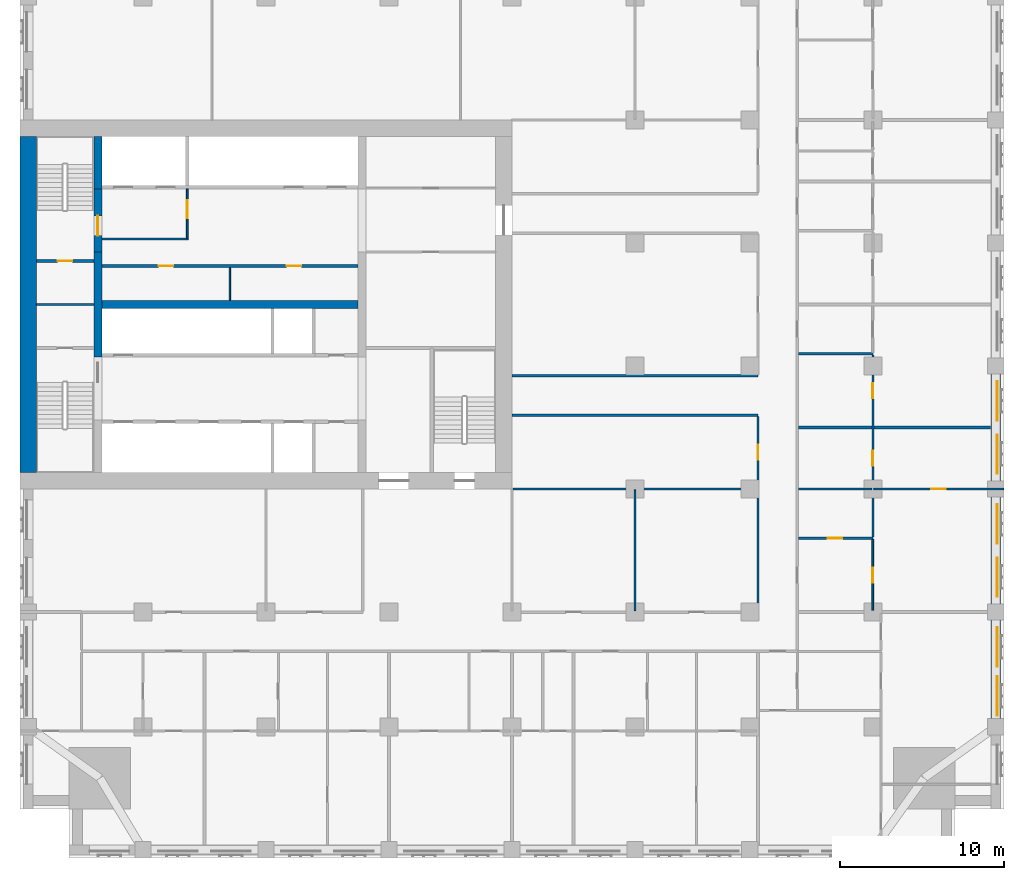
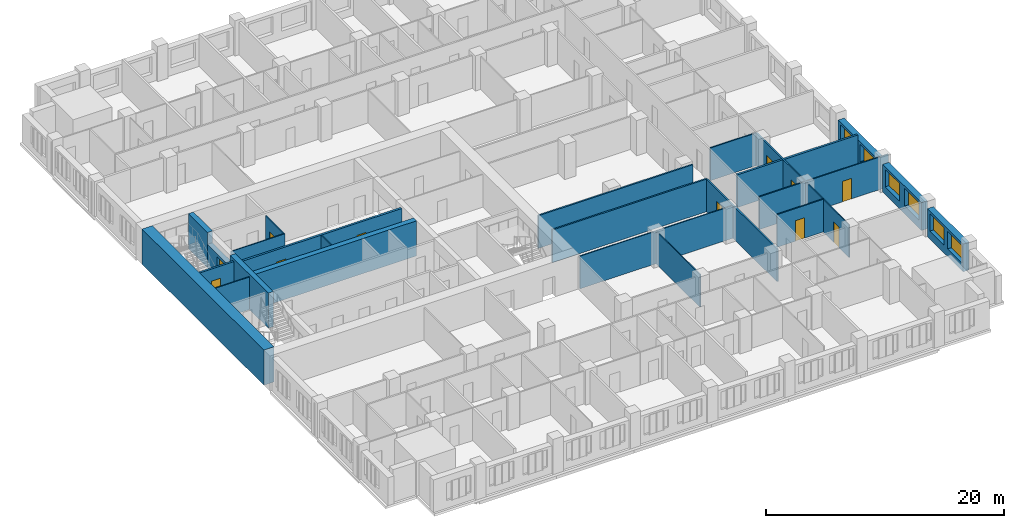
# One storey, part 7 of 14: 26 walls, 11 doors, 6 windows, 17 openings.
"""IFC4 building model written with IfcOpenShell, lengths in metres."""

from ifc_helpers import new_model, si_unit, direction, frame, frame_2d, origin, place, context, subcontext, project, spatial, rectangle, extrude, material, layer, layer_set, type_object, element, fill, save


model = new_model("IFC4")

# Units and contexts
model_context = context("Model", 3, precision=1e-05, world=origin(), true_north=direction((0.0, 1.0)))
body_context = subcontext(model_context, "Body", "Model", "MODEL_VIEW")
ifc_project = project(units=[si_unit("LENGTHUNIT", "METRE"), si_unit("AREAUNIT", "SQUARE_METRE"), si_unit("VOLUMEUNIT", "CUBIC_METRE"), si_unit("PLANEANGLEUNIT", "RADIAN"), si_unit("MASSUNIT", "GRAM", prefix="KILO")], contexts=[model_context])

# Site, building, storey
site_placement = place(None, origin())
site = spatial("IfcSite", under=ifc_project, at=site_placement, CompositionType="ELEMENT")
building_placement = place(site_placement, origin())
building = spatial("IfcBuilding", under=site, at=building_placement, Name="Tamorin Gate", CompositionType="ELEMENT")
storey_placement = place(building_placement, frame((0.0, 0.0, 107.89990234375)))
storey = spatial("IfcBuildingStorey", under=building, at=storey_placement, Name="L26", CompositionType="ELEMENT", Elevation=107.89990234375)

# Wall, openings, windows
ifc_material_1 = material(Name="Precast concrete C40/50", Category="concrete")
ifc_layer_1 = layer(ifc_material_1, 0.60009765625)
ifc_layer_set_1 = layer_set([ifc_layer_1], Name="Precast concrete C40/50")
wall_type_1 = type_object("IfcWallType", Name="Board-marked concrete facade panel 600", PredefinedType="SOLIDWALL", material=ifc_layer_set_1)
wall_1_placement = place(storey_placement, frame((89.5, 46.0, 0.0), z_axis=(0.0, 0.0, 1.0), x_axis=(0.0, 1.0, 0.0)))
wall_1 = element("IfcWall", 1, at=wall_1_placement, inside=storey, type_object=wall_type_1, Name="Facade panel", PredefinedType="SOLIDWALL", context=body_context, shape_type="SweptSolid", body=[
    extrude(rectangle(XDim=6.0, YDim=0.60009765625, at=frame_2d((3.0, 0.0))), origin(), (0.0, 0.0, 1.0), 2.85009765625),
])
opening_1_placement = place(wall_1_placement, frame((0.175048828125, 0.0, 0.800048828125)))
opening_1 = element("IfcOpeningElement", 2, at=opening_1_placement, cuts=wall_1, Name="Opening WN1", PredefinedType="OPENING", context=body_context, shape_type="SweptSolid", body=[
    extrude(rectangle(XDim=2.39990234375, YDim=1.800048828125, at=frame_2d((1.199951171875, 0.89990234375))), frame((0.0, 0.31005859375, 0.0), z_axis=(0.0, -1.0, 0.0), x_axis=(1.0, 0.0, 0.0)), (0.0, 0.0, 1.0), 0.6201171875),
])
opening_2_placement = place(wall_1_placement, frame((3.175048828125, 0.0, 0.800048828125)))
opening_2 = element("IfcOpeningElement", 3, at=opening_2_placement, cuts=wall_1, Name="Opening WN1", PredefinedType="OPENING", context=body_context, shape_type="SweptSolid", body=[
    extrude(rectangle(XDim=2.39990234375, YDim=1.800048828125, at=frame_2d((1.199951171875, 0.89990234375))), frame((0.0, 0.31005859375, 0.0), z_axis=(0.0, -1.0, 0.0), x_axis=(1.0, 0.0, 0.0)), (0.0, 0.0, 1.0), 0.6201171875),
])
ifc_material_2 = material(Name="Clear glass in aluminium frame", Category="aluminium")
window_type = type_object("IfcWindowType", Name="Deep-set window 2400x1800", PartitioningType="SINGLE_PANEL", PredefinedType="WINDOW", material=ifc_material_2)
window_1_placement = place(opening_1_placement, origin())
window_1 = element("IfcWindow", 4, at=window_1_placement, inside=storey, type_object=window_type, Name="Deep-set window", OverallHeight=1.800048828125, OverallWidth=2.39990234375, PartitioningType="SINGLE_PANEL", PredefinedType="WINDOW", context=body_context, shape_type="SweptSolid", body=[
    extrude(rectangle(XDim=2.39990234375, YDim=1.800048828125, at=frame_2d((1.199951171875, 0.89990234375))), frame((0.0, -0.070068359375, 0.0), z_axis=(0.0, -1.0, 0.0), x_axis=(1.0, 0.0, 0.0)), (0.0, 0.0, 1.0), 0.06005859375),
])
fill(opening_1, window_1)
window_2_placement = place(opening_2_placement, origin())
window_2 = element("IfcWindow", 5, at=window_2_placement, inside=storey, type_object=window_type, Name="Deep-set window", OverallHeight=1.800048828125, OverallWidth=2.39990234375, PartitioningType="SINGLE_PANEL", PredefinedType="WINDOW", context=body_context, shape_type="SweptSolid", body=[
    extrude(rectangle(XDim=2.39990234375, YDim=1.800048828125, at=frame_2d((1.199951171875, 0.89990234375))), frame((0.0, -0.070068359375, 0.0), z_axis=(0.0, -1.0, 0.0), x_axis=(1.0, 0.0, 0.0)), (0.0, 0.0, 1.0), 0.06005859375),
])
fill(opening_2, window_2)

wall_2_placement = place(storey_placement, frame((89.5, 53.0, 0.0), z_axis=(0.0, 0.0, 1.0), x_axis=(0.0, 1.0, 0.0)))
wall_2 = element("IfcWall", 6, at=wall_2_placement, inside=storey, type_object=wall_type_1, Name="Facade panel", PredefinedType="SOLIDWALL", context=body_context, shape_type="SweptSolid", body=[
    extrude(rectangle(XDim=6.5, YDim=0.60009765625, at=frame_2d((3.25, 0.0))), origin(), (0.0, 0.0, 1.0), 2.85009765625),
])
opening_3_placement = place(wall_2_placement, frame((0.425048828125, 0.0, 0.800048828125)))
opening_3 = element("IfcOpeningElement", 7, at=opening_3_placement, cuts=wall_2, Name="Opening WN1", PredefinedType="OPENING", context=body_context, shape_type="SweptSolid", body=[
    extrude(rectangle(XDim=2.39990234375, YDim=1.800048828125, at=frame_2d((1.199951171875, 0.89990234375))), frame((0.0, 0.31005859375, 0.0), z_axis=(0.0, -1.0, 0.0), x_axis=(1.0, 0.0, 0.0)), (0.0, 0.0, 1.0), 0.6201171875),
])
opening_4_placement = place(wall_2_placement, frame((3.675048828125, 0.0, 0.800048828125)))
opening_4 = element("IfcOpeningElement", 8, at=opening_4_placement, cuts=wall_2, Name="Opening WN1", PredefinedType="OPENING", context=body_context, shape_type="SweptSolid", body=[
    extrude(rectangle(XDim=2.39990234375, YDim=1.800048828125, at=frame_2d((1.199951171875, 0.89990234375))), frame((0.0, 0.31005859375, 0.0), z_axis=(0.0, -1.0, 0.0), x_axis=(1.0, 0.0, 0.0)), (0.0, 0.0, 1.0), 0.6201171875),
])
window_3_placement = place(opening_3_placement, origin())
window_3 = element("IfcWindow", 9, at=window_3_placement, inside=storey, type_object=window_type, Name="Deep-set window", OverallHeight=1.800048828125, OverallWidth=2.39990234375, PartitioningType="SINGLE_PANEL", PredefinedType="WINDOW", context=body_context, shape_type="SweptSolid", body=[
    extrude(rectangle(XDim=2.39990234375, YDim=1.800048828125, at=frame_2d((1.199951171875, 0.89990234375))), frame((0.0, -0.070068359375, 0.0), z_axis=(0.0, -1.0, 0.0), x_axis=(1.0, 0.0, 0.0)), (0.0, 0.0, 1.0), 0.06005859375),
])
fill(opening_3, window_3)
window_4_placement = place(opening_4_placement, origin())
window_4 = element("IfcWindow", 10, at=window_4_placement, inside=storey, type_object=window_type, Name="Deep-set window", OverallHeight=1.800048828125, OverallWidth=2.39990234375, PartitioningType="SINGLE_PANEL", PredefinedType="WINDOW", context=body_context, shape_type="SweptSolid", body=[
    extrude(rectangle(XDim=2.39990234375, YDim=1.800048828125, at=frame_2d((1.199951171875, 0.89990234375))), frame((0.0, -0.070068359375, 0.0), z_axis=(0.0, -1.0, 0.0), x_axis=(1.0, 0.0, 0.0)), (0.0, 0.0, 1.0), 0.06005859375),
])
fill(opening_4, window_4)

wall_3_placement = place(storey_placement, frame((89.5, 60.5, 0.0), z_axis=(0.0, 0.0, 1.0), x_axis=(0.0, 1.0, 0.0)))
wall_3 = element("IfcWall", 11, at=wall_3_placement, inside=storey, type_object=wall_type_1, Name="Facade panel", PredefinedType="SOLIDWALL", context=body_context, shape_type="SweptSolid", body=[
    extrude(rectangle(XDim=6.5, YDim=0.60009765625, at=frame_2d((3.25, 0.0))), origin(), (0.0, 0.0, 1.0), 2.85009765625),
])
opening_5_placement = place(wall_3_placement, frame((0.425048828125, 0.0, 0.800048828125)))
opening_5 = element("IfcOpeningElement", 12, at=opening_5_placement, cuts=wall_3, Name="Opening WN1", PredefinedType="OPENING", context=body_context, shape_type="SweptSolid", body=[
    extrude(rectangle(XDim=2.39990234375, YDim=1.800048828125, at=frame_2d((1.199951171875, 0.89990234375))), frame((0.0, 0.31005859375, 0.0), z_axis=(0.0, -1.0, 0.0), x_axis=(1.0, 0.0, 0.0)), (0.0, 0.0, 1.0), 0.6201171875),
])
opening_6_placement = place(wall_3_placement, frame((3.675048828125, 0.0, 0.800048828125)))
opening_6 = element("IfcOpeningElement", 13, at=opening_6_placement, cuts=wall_3, Name="Opening WN1", PredefinedType="OPENING", context=body_context, shape_type="SweptSolid", body=[
    extrude(rectangle(XDim=2.39990234375, YDim=1.800048828125, at=frame_2d((1.199951171875, 0.89990234375))), frame((0.0, 0.31005859375, 0.0), z_axis=(0.0, -1.0, 0.0), x_axis=(1.0, 0.0, 0.0)), (0.0, 0.0, 1.0), 0.6201171875),
])
window_5_placement = place(opening_5_placement, origin())
window_5 = element("IfcWindow", 14, at=window_5_placement, inside=storey, type_object=window_type, Name="Deep-set window", OverallHeight=1.800048828125, OverallWidth=2.39990234375, PartitioningType="SINGLE_PANEL", PredefinedType="WINDOW", context=body_context, shape_type="SweptSolid", body=[
    extrude(rectangle(XDim=2.39990234375, YDim=1.800048828125, at=frame_2d((1.199951171875, 0.89990234375))), frame((0.0, -0.070068359375, 0.0), z_axis=(0.0, -1.0, 0.0), x_axis=(1.0, 0.0, 0.0)), (0.0, 0.0, 1.0), 0.06005859375),
])
fill(opening_5, window_5)
window_6_placement = place(opening_6_placement, origin())
window_6 = element("IfcWindow", 15, at=window_6_placement, inside=storey, type_object=window_type, Name="Deep-set window", OverallHeight=1.800048828125, OverallWidth=2.39990234375, PartitioningType="SINGLE_PANEL", PredefinedType="WINDOW", context=body_context, shape_type="SweptSolid", body=[
    extrude(rectangle(XDim=2.39990234375, YDim=1.800048828125, at=frame_2d((1.199951171875, 0.89990234375))), frame((0.0, -0.070068359375, 0.0), z_axis=(0.0, -1.0, 0.0), x_axis=(1.0, 0.0, 0.0)), (0.0, 0.0, 1.0), 0.06005859375),
])
fill(opening_6, window_6)

# Wall, opening, door
ifc_material_3 = material(Name="Gypsum board partition")
ifc_layer_2 = layer(ifc_material_3, 0.14990234375)
ifc_layer_set_2 = layer_set([ifc_layer_2], Name="Corridor wall 150")
wall_type_2 = type_object("IfcWallType", Name="Corridor wall 150", PredefinedType="PARTITIONING", material=ifc_layer_set_2)
wall_4_placement = place(storey_placement, frame((75.0, 52.574951171875, 0.0), z_axis=(0.0, 0.0, 1.0), x_axis=(0.0, 1.0, 0.0)))
wall_4 = element("IfcWall", 16, at=wall_4_placement, inside=storey, type_object=wall_type_2, Name="Corridor wall 150", PredefinedType="PARTITIONING", context=body_context, shape_type="SweptSolid", body=[
    extrude(rectangle(XDim=11.85009765625, YDim=0.14990234375, at=frame_2d((5.925048828125, 0.0))), origin(), (0.0, 0.0, 1.0), 3.35009765625),
])
opening_7_placement = place(wall_4_placement, frame((9.22509765625, 0.0, 0.0)))
opening_7 = element("IfcOpeningElement", 17, at=opening_7_placement, cuts=wall_4, Name="Opening DH5080", PredefinedType="OPENING", context=body_context, shape_type="SweptSolid", body=[
    extrude(rectangle(XDim=0.89990234375, YDim=2.10009765625, at=frame_2d((0.449951171875, 1.050048828125))), frame((0.0, 0.0849609375, 0.0), z_axis=(0.0, -1.0, 0.0), x_axis=(1.0, 0.0, 0.0)), (0.0, 0.0, 1.0), 0.169921875),
])
ifc_material_4 = material(Name="Timber door leaf", Category="wood")
door_type_1 = type_object("IfcDoorType", Name="Door 900 x 2100 FD30S", OperationType="NOTDEFINED", PredefinedType="DOOR", material=ifc_material_4)
door_1_placement = place(opening_7_placement, origin())
door_1 = element("IfcDoor", 18, at=door_1_placement, inside=storey, type_object=door_type_1, Name="Door DH5080", OperationType="SINGLE_SWING_LEFT", OverallHeight=2.10009765625, OverallWidth=0.89990234375, PredefinedType="DOOR", context=body_context, shape_type="SweptSolid", body=[
    extrude(rectangle(XDim=0.89990234375, YDim=2.10009765625, at=frame_2d((0.449951171875, 1.050048828125))), frame((0.0, 0.02490234375, 0.0), z_axis=(0.0, -1.0, 0.0), x_axis=(1.0, 0.0, 0.0)), (0.0, 0.0, 1.0), 0.050048828125),
])
fill(opening_7, door_1)

# Walls
ifc_layer_3 = layer(ifc_material_3, 0.199951171875)
ifc_layer_set_3 = layer_set([ifc_layer_3], Name="Demising wall 200")
wall_type_3 = type_object("IfcWallType", Name="Demising wall 200", PredefinedType="PARTITIONING", material=ifc_layer_set_3)
wall_5_placement = place(storey_placement, frame((77.47509765625, 63.75, 0.0), z_axis=(0.0, 0.0, 1.0), x_axis=(1.0, 0.0, 0.0)))
element("IfcWall", 19, at=wall_5_placement, inside=storey, type_object=wall_type_3, Name="Demising wall 200", PredefinedType="PARTITIONING", context=body_context, shape_type="SweptSolid", body=[
    extrude(rectangle(XDim=11.71484375, YDim=0.199951171875, at=frame_2d((5.857421875, 0.0))), origin(), (0.0, 0.0, 1.0), 3.35009765625),
])
ifc_material_5 = material(Name="Fire-rated gypsum board partition")
ifc_layer_4 = layer(ifc_material_5, 0.10009765625)
ifc_layer_set_4 = layer_set([ifc_layer_4], Name="Lobby wall 100 EI 60")
wall_type_4 = type_object("IfcWallType", Name="Lobby wall 100 EI 60", PredefinedType="PARTITIONING", material=ifc_layer_set_4)
wall_6_placement = place(storey_placement, frame((35.0, 75.25, 0.0), z_axis=(0.0, 0.0, 1.0), x_axis=(1.0, 0.0, 0.0)))
element("IfcWall", 20, at=wall_6_placement, inside=storey, type_object=wall_type_4, Name="Firefighting lobby wall", PredefinedType="PARTITIONING", context=body_context, shape_type="SweptSolid", body=[
    extrude(rectangle(XDim=5.25, YDim=0.10009765625, at=frame_2d((2.625, 0.0))), origin(), (0.0, 0.0, 1.0), 3.35009765625),
])

# Wall, opening, door
wall_7_placement = place(storey_placement, frame((40.199951171875, 75.300048828125, 0.0), z_axis=(0.0, 0.0, 1.0), x_axis=(0.0, 1.0, 0.0)))
wall_7 = element("IfcWall", 21, at=wall_7_placement, inside=storey, type_object=wall_type_4, Name="Firefighting lobby wall", PredefinedType="PARTITIONING", context=body_context, shape_type="SweptSolid", body=[
    extrude(rectangle(XDim=3.0, YDim=0.10009765625, at=frame_2d((1.5, 0.0))), origin(), (0.0, 0.0, 1.0), 3.35009765625),
])
opening_8_placement = place(wall_7_placement, frame((1.199951171875, 0.0, 0.0)))
opening_8 = element("IfcOpeningElement", 22, at=opening_8_placement, cuts=wall_7, Name="Opening DF1", PredefinedType="OPENING", context=body_context, shape_type="SweptSolid", body=[
    extrude(rectangle(XDim=1.10009765625, YDim=2.10009765625, at=frame_2d((0.550048828125, 1.050048828125))), frame((0.0, 0.06005859375, 0.0), z_axis=(0.0, -1.0, 0.0), x_axis=(1.0, 0.0, 0.0)), (0.0, 0.0, 1.0), 0.1201171875),
])
ifc_material_6 = material(Name="Steel fire door", Category="steel")
door_type_2 = type_object("IfcDoorType", Name="Firefighting lobby door 1100 x 2100 EI 90", OperationType="SINGLE_SWING_LEFT", PredefinedType="DOOR", material=ifc_material_6)
door_2_placement = place(opening_8_placement, origin())
door_2 = element("IfcDoor", 23, at=door_2_placement, inside=storey, type_object=door_type_2, Name="Firefighting lobby door", OperationType="SINGLE_SWING_LEFT", OverallHeight=2.10009765625, OverallWidth=1.10009765625, PredefinedType="DOOR", context=body_context, shape_type="SweptSolid", body=[
    extrude(rectangle(XDim=1.10009765625, YDim=2.10009765625, at=frame_2d((0.550048828125, 1.050048828125))), frame((0.0, 0.02490234375, 0.0), z_axis=(0.0, -1.0, 0.0), x_axis=(1.0, 0.0, 0.0)), (0.0, 0.0, 1.0), 0.050048828125),
])
fill(opening_8, door_2)

# Walls
ifc_layer_5 = layer(ifc_material_3, 0.14990234375)
ifc_layer_set_5 = layer_set([ifc_layer_5], Name="Lobby wall 150")
wall_type_5 = type_object("IfcWallType", Name="Lobby wall 150", PredefinedType="PARTITIONING", material=ifc_layer_set_5)
for number, where, z_axis, x_axis, name in (
    (24, (60.0, 64.5, 0.0), (0.0, 0.0, 1.0), (1.0, 0.0, 0.0), "Lobby wall 150"),
    (25, (60.0, 66.89990234375, 0.0), (0.0, 0.0, 1.0), (1.0, 0.0, 0.0), "Lobby wall 150"),
):
    element("IfcWall", number, at=place(storey_placement, frame(where, z_axis=z_axis, x_axis=x_axis)), inside=storey, type_object=wall_type_5, Name=name, PredefinedType="PARTITIONING", context=body_context, shape_type="SweptSolid", body=[
        extrude(rectangle(XDim=15.0, YDim=0.14990234375, at=frame_2d((7.5, 0.0))), origin(), (0.0, 0.0, 1.0), 3.35009765625),
    ])
ifc_material_7 = material(Name="Concrete C80/95", Category="concrete")
ifc_layer_6 = layer(ifc_material_7, 0.5)
ifc_layer_set_6 = layer_set([ifc_layer_6], Name="RC core internal wall 500 C80/95")
wall_type_6 = type_object("IfcWallType", Name="RC core internal wall 500 C80/95", PredefinedType="SHEAR", material=ifc_layer_set_6)
wall_8_placement = place(storey_placement, frame((35.0, 71.25, 0.0), z_axis=(0.0, 0.0, 1.0), x_axis=(1.0, 0.0, 0.0)))
element("IfcWall", 26, at=wall_8_placement, inside=storey, type_object=wall_type_6, Name="Core spine wall L26", PredefinedType="SHEAR", context=body_context, shape_type="SweptSolid", body=[
    extrude(rectangle(XDim=15.60009765625, YDim=0.5, at=frame_2d((7.800048828125, 0.0))), origin(), (0.0, 0.0, 1.0), 3.60009765625),
])
wall_9_placement = place(storey_placement, frame((34.75, 68.050048828125, 0.0), z_axis=(0.0, 0.0, 1.0), x_axis=(0.0, 1.0, 0.0)))
element("IfcWall", 27, at=wall_9_placement, inside=storey, type_object=wall_type_6, Name="Core cross wall L26", PredefinedType="SHEAR", context=body_context, shape_type="SweptSolid", body=[
    extrude(rectangle(XDim=6.39990234375, YDim=0.5, at=frame_2d((3.199951171875, 0.0))), origin(), (0.0, 0.0, 1.0), 3.60009765625),
])
wall_10_placement = place(storey_placement, frame((34.75, 78.300048828125, 0.0), z_axis=(0.0, 0.0, 1.0), x_axis=(0.0, 1.0, 0.0)))
element("IfcWall", 28, at=wall_10_placement, inside=storey, type_object=wall_type_6, Name="Core cross wall L26", PredefinedType="SHEAR", context=body_context, shape_type="SweptSolid", body=[
    extrude(rectangle(XDim=3.199951171875, YDim=0.5, at=frame_2d((1.60009765625, 0.0))), origin(), (0.0, 0.0, 1.0), 3.60009765625),
])
ifc_layer_7 = layer(ifc_material_7, 1.0)
ifc_layer_set_7 = layer_set([ifc_layer_7], Name="RC core wall 1000 C80/95")
wall_type_7 = type_object("IfcWallType", Name="RC core wall 1000 C80/95", PredefinedType="SHEAR", material=ifc_layer_set_7)
wall_11_placement = place(storey_placement, frame((30.5, 61.0, 0.0), z_axis=(0.0, 0.0, 1.0), x_axis=(0.0, 1.0, 0.0)))
element("IfcWall", 29, at=wall_11_placement, inside=storey, type_object=wall_type_7, Name="Core wall L26", PredefinedType="SHEAR", context=body_context, shape_type="SweptSolid", body=[
    extrude(rectangle(XDim=20.5, YDim=1.0, at=frame_2d((10.25, 0.0))), origin(), (0.0, 0.0, 1.0), 3.60009765625),
])
ifc_layer_8 = layer(ifc_material_5, 0.10009765625)
ifc_layer_set_8 = layer_set([ifc_layer_8], Name="Riser partition 100 EI 120")
wall_type_8 = type_object("IfcWallType", Name="Riser partition 100 EI 120", PredefinedType="PARTITIONING", material=ifc_layer_set_8)
wall_12_placement = place(storey_placement, frame((31.0, 71.25, 0.0), z_axis=(0.0, 0.0, 1.0), x_axis=(1.0, 0.0, 0.0)))
element("IfcWall", 30, at=wall_12_placement, inside=storey, type_object=wall_type_8, Name="Riser partition", PredefinedType="PARTITIONING", context=body_context, shape_type="SweptSolid", body=[
    extrude(rectangle(XDim=3.5, YDim=0.10009765625, at=frame_2d((1.75, 0.0))), origin(), (0.0, 0.0, 1.0), 3.35009765625),
])
ifc_layer_9 = layer(ifc_material_3, 0.10009765625)
ifc_layer_set_9 = layer_set([ifc_layer_9], Name="Room partition 100")
wall_type_9 = type_object("IfcWallType", Name="Room partition 100", PredefinedType="PARTITIONING", material=ifc_layer_set_9)
wall_13_placement = place(storey_placement, frame((60.074951171875, 60.0, 0.0), z_axis=(0.0, 0.0, 1.0), x_axis=(1.0, 0.0, 0.0)))
element("IfcWall", 31, at=wall_13_placement, inside=storey, type_object=wall_type_9, Name="Room partition 100", PredefinedType="PARTITIONING", context=body_context, shape_type="SweptSolid", body=[
    extrude(rectangle(XDim=14.85009765625, YDim=0.10009765625, at=frame_2d((7.425048828125, 0.0))), origin(), (0.0, 0.0, 1.0), 3.35009765625),
])

# Wall, opening, door
wall_14_placement = place(storey_placement, frame((82.0625, 60.0, 0.0), z_axis=(0.0, 0.0, 1.0), x_axis=(1.0, 0.0, 0.0)))
wall_14 = element("IfcWall", 32, at=wall_14_placement, inside=storey, type_object=wall_type_9, Name="Room partition 100", PredefinedType="PARTITIONING", context=body_context, shape_type="SweptSolid", body=[
    extrude(rectangle(XDim=7.9375, YDim=0.10009765625, at=frame_2d((3.96875, 0.0))), origin(), (0.0, 0.0, 1.0), 3.35009765625),
])
opening_9_placement = place(wall_14_placement, frame((3.487548828125, 0.0, 0.0)))
opening_9 = element("IfcOpeningElement", 33, at=opening_9_placement, cuts=wall_14, Name="Opening DH5047", PredefinedType="OPENING", context=body_context, shape_type="SweptSolid", body=[
    extrude(rectangle(XDim=0.89990234375, YDim=2.10009765625, at=frame_2d((0.449951171875, 1.050048828125))), frame((0.0, 0.06005859375, 0.0), z_axis=(0.0, -1.0, 0.0), x_axis=(1.0, 0.0, 0.0)), (0.0, 0.0, 1.0), 0.1201171875),
])
door_type_3 = type_object("IfcDoorType", Name="Door 900 x 2100", OperationType="NOTDEFINED", PredefinedType="DOOR", material=ifc_material_4)
door_3_placement = place(opening_9_placement, origin())
door_3 = element("IfcDoor", 34, at=door_3_placement, inside=storey, type_object=door_type_3, Name="Door DH5047", OperationType="SINGLE_SWING_RIGHT", OverallHeight=2.10009765625, OverallWidth=0.89990234375, PredefinedType="DOOR", context=body_context, shape_type="SweptSolid", body=[
    extrude(rectangle(XDim=0.89990234375, YDim=2.10009765625, at=frame_2d((0.449951171875, 1.050048828125))), frame((0.0, 0.02490234375, 0.0), z_axis=(0.0, -1.0, 0.0), x_axis=(1.0, 0.0, 0.0)), (0.0, 0.0, 1.0), 0.050048828125),
])
fill(opening_9, door_3)

# Wall
wall_15_placement = place(storey_placement, frame((67.5, 52.574951171875, 0.0), z_axis=(0.0, 0.0, 1.0), x_axis=(0.0, 1.0, 0.0)))
element("IfcWall", 35, at=wall_15_placement, inside=storey, type_object=wall_type_9, Name="Room partition 100", PredefinedType="PARTITIONING", context=body_context, shape_type="SweptSolid", body=[
    extrude(rectangle(XDim=7.375, YDim=0.10009765625, at=frame_2d((3.6875, 0.0))), origin(), (0.0, 0.0, 1.0), 3.35009765625),
])

# Wall, opening, door
wall_16_placement = place(storey_placement, frame((82.0, 52.60009765625, 0.0), z_axis=(0.0, 0.0, 1.0), x_axis=(0.0, 1.0, 0.0)))
wall_16 = element("IfcWall", 36, at=wall_16_placement, inside=storey, type_object=wall_type_9, Name="Room partition 100", PredefinedType="PARTITIONING", context=body_context, shape_type="SweptSolid", body=[
    extrude(rectangle(XDim=4.33740234375, YDim=0.10009765625, at=frame_2d((2.168701171875, 0.0))), origin(), (0.0, 0.0, 1.0), 3.35009765625),
])
opening_10_placement = place(wall_16_placement, frame((1.699951171875, 0.0, 0.0)))
opening_10 = element("IfcOpeningElement", 37, at=opening_10_placement, cuts=wall_16, Name="Opening DH5044", PredefinedType="OPENING", context=body_context, shape_type="SweptSolid", body=[
    extrude(rectangle(XDim=0.89990234375, YDim=2.10009765625, at=frame_2d((0.449951171875, 1.050048828125))), frame((0.0, 0.06005859375, 0.0), z_axis=(0.0, -1.0, 0.0), x_axis=(1.0, 0.0, 0.0)), (0.0, 0.0, 1.0), 0.1201171875),
])
door_4_placement = place(opening_10_placement, origin())
door_4 = element("IfcDoor", 38, at=door_4_placement, inside=storey, type_object=door_type_3, Name="Door DH5044", OperationType="SINGLE_SWING_LEFT", OverallHeight=2.10009765625, OverallWidth=0.89990234375, PredefinedType="DOOR", context=body_context, shape_type="SweptSolid", body=[
    extrude(rectangle(XDim=0.89990234375, YDim=2.10009765625, at=frame_2d((0.449951171875, 1.050048828125))), frame((0.0, 0.02490234375, 0.0), z_axis=(0.0, -1.0, 0.0), x_axis=(1.0, 0.0, 0.0)), (0.0, 0.0, 1.0), 0.050048828125),
])
fill(opening_10, door_4)

# Wall, openings, doors
ifc_layer_10 = layer(ifc_material_3, 0.199951171875)
ifc_layer_set_10 = layer_set([ifc_layer_10], Name="Service room face wall 200 EI 60")
wall_type_10 = type_object("IfcWallType", Name="Service room face wall 200 EI 60", PredefinedType="PARTITIONING", material=ifc_layer_set_10)
wall_17_placement = place(storey_placement, frame((35.0, 73.60009765625, 0.0), z_axis=(0.0, 0.0, 1.0), x_axis=(1.0, 0.0, 0.0)))
wall_17 = element("IfcWall", 39, at=wall_17_placement, inside=storey, type_object=wall_type_10, Name="Service room face wall", PredefinedType="PARTITIONING", context=body_context, shape_type="SweptSolid", body=[
    extrude(rectangle(XDim=15.60009765625, YDim=0.199951171875, at=frame_2d((7.800048828125, 0.0))), origin(), (0.0, 0.0, 1.0), 3.35009765625),
])
opening_11_placement = place(wall_17_placement, frame((3.449951171875, 0.0, 0.0)))
opening_11 = element("IfcOpeningElement", 40, at=opening_11_placement, cuts=wall_17, Name="Opening DK1", PredefinedType="OPENING", context=body_context, shape_type="SweptSolid", body=[
    extrude(rectangle(XDim=0.89990234375, YDim=2.10009765625, at=frame_2d((0.449951171875, 1.050048828125))), frame((0.0, 0.10986328125, 0.0), z_axis=(0.0, -1.0, 0.0), x_axis=(1.0, 0.0, 0.0)), (0.0, 0.0, 1.0), 0.219970703125),
])
opening_12_placement = place(wall_17_placement, frame((11.25, 0.0, 0.0)))
opening_12 = element("IfcOpeningElement", 41, at=opening_12_placement, cuts=wall_17, Name="Opening DK1", PredefinedType="OPENING", context=body_context, shape_type="SweptSolid", body=[
    extrude(rectangle(XDim=0.89990234375, YDim=2.10009765625, at=frame_2d((0.449951171875, 1.050048828125))), frame((0.0, 0.10986328125, 0.0), z_axis=(0.0, -1.0, 0.0), x_axis=(1.0, 0.0, 0.0)), (0.0, 0.0, 1.0), 0.219970703125),
])
ifc_material_8 = material(Name="Timber fire door", Category="wood")
door_type_4 = type_object("IfcDoorType", Name="Service room door 900 x 2100 EI 60", OperationType="SINGLE_SWING_LEFT", PredefinedType="DOOR", material=ifc_material_8)
door_5_placement = place(opening_11_placement, origin())
door_5 = element("IfcDoor", 42, at=door_5_placement, inside=storey, type_object=door_type_4, Name="Door Housekeeping store", OperationType="SINGLE_SWING_RIGHT", OverallHeight=2.10009765625, OverallWidth=0.89990234375, PredefinedType="DOOR", context=body_context, shape_type="SweptSolid", body=[
    extrude(rectangle(XDim=0.89990234375, YDim=2.10009765625, at=frame_2d((0.449951171875, 1.050048828125))), frame((0.0, 0.02490234375, 0.0), z_axis=(0.0, -1.0, 0.0), x_axis=(1.0, 0.0, 0.0)), (0.0, 0.0, 1.0), 0.050048828125),
])
fill(opening_11, door_5)
door_6_placement = place(opening_12_placement, origin())
door_6 = element("IfcDoor", 43, at=door_6_placement, inside=storey, type_object=door_type_4, Name="Door IT room", OperationType="SINGLE_SWING_LEFT", OverallHeight=2.10009765625, OverallWidth=0.89990234375, PredefinedType="DOOR", context=body_context, shape_type="SweptSolid", body=[
    extrude(rectangle(XDim=0.89990234375, YDim=2.10009765625, at=frame_2d((0.449951171875, 1.050048828125))), frame((0.0, 0.02490234375, 0.0), z_axis=(0.0, -1.0, 0.0), x_axis=(1.0, 0.0, 0.0)), (0.0, 0.0, 1.0), 0.050048828125),
])
fill(opening_12, door_6)

# Wall
ifc_layer_11 = layer(ifc_material_3, 0.10009765625)
ifc_layer_set_11 = layer_set([ifc_layer_11], Name="Service room partition 100 EI 60")
wall_type_11 = type_object("IfcWallType", Name="Service room partition 100 EI 60", PredefinedType="PARTITIONING", material=ifc_layer_set_11)
wall_18_placement = place(storey_placement, frame((42.800048828125, 71.5, 0.0), z_axis=(0.0, 0.0, 1.0), x_axis=(0.0, 1.0, 0.0)))
element("IfcWall", 44, at=wall_18_placement, inside=storey, type_object=wall_type_11, Name="Service room partition", PredefinedType="PARTITIONING", context=body_context, shape_type="SweptSolid", body=[
    extrude(rectangle(XDim=2.0, YDim=0.10009765625, at=frame_2d((1.0, 0.0))), origin(), (0.0, 0.0, 1.0), 3.35009765625),
])

# Wall, opening, door
ifc_material_9 = material(Name="Concrete C40/50", Category="concrete")
ifc_layer_12 = layer(ifc_material_9, 0.199951171875)
ifc_layer_set_12 = layer_set([ifc_layer_12], Name="Stair enclosure wall 200 EI 120 C40/50")
wall_type_12 = type_object("IfcWallType", Name="Stair enclosure wall 200 EI 120 C40/50", PredefinedType="SOLIDWALL", material=ifc_layer_set_12)
wall_19_placement = place(storey_placement, frame((31.0, 73.89990234375, 0.0), z_axis=(0.0, 0.0, 1.0), x_axis=(1.0, 0.0, 0.0)))
wall_19 = element("IfcWall", 45, at=wall_19_placement, inside=storey, type_object=wall_type_12, Name="Stair enclosure wall", PredefinedType="SOLIDWALL", context=body_context, shape_type="SweptSolid", body=[
    extrude(rectangle(XDim=3.5, YDim=0.199951171875, at=frame_2d((1.75, 0.0))), origin(), (0.0, 0.0, 1.0), 3.35009765625),
])
opening_13_placement = place(wall_19_placement, frame((1.300048828125, 0.0, 0.0)))
opening_13 = element("IfcOpeningElement", 46, at=opening_13_placement, cuts=wall_19, Name="Opening DR1", PredefinedType="OPENING", context=body_context, shape_type="SweptSolid", body=[
    extrude(rectangle(XDim=0.89990234375, YDim=2.10009765625, at=frame_2d((0.449951171875, 1.050048828125))), frame((0.0, 0.10986328125, 0.0), z_axis=(0.0, -1.0, 0.0), x_axis=(1.0, 0.0, 0.0)), (0.0, 0.0, 1.0), 0.219970703125),
])
door_type_5 = type_object("IfcDoorType", Name="Riser access door 900 x 2100 EI 120", OperationType="SINGLE_SWING_LEFT", PredefinedType="DOOR", material=ifc_material_6)
door_7_placement = place(opening_13_placement, origin())
door_7 = element("IfcDoor", 47, at=door_7_placement, inside=storey, type_object=door_type_5, Name="Communications riser door", OperationType="SINGLE_SWING_RIGHT", OverallHeight=2.10009765625, OverallWidth=0.89990234375, PredefinedType="DOOR", context=body_context, shape_type="SweptSolid", body=[
    extrude(rectangle(XDim=0.89990234375, YDim=2.10009765625, at=frame_2d((0.449951171875, 1.050048828125))), frame((0.0, 0.02490234375, 0.0), z_axis=(0.0, -1.0, 0.0), x_axis=(1.0, 0.0, 0.0)), (0.0, 0.0, 1.0), 0.050048828125),
])
fill(opening_13, door_7)

ifc_material_10 = material(Name="Concrete C32/40", Category="concrete")
ifc_layer_13 = layer(ifc_material_10, 0.5)
ifc_layer_set_13 = layer_set([ifc_layer_13], Name="Stair lobby infill wall 500 EI 120")
wall_type_13 = type_object("IfcWallType", Name="Stair lobby infill wall 500 EI 120", PredefinedType="SOLIDWALL", material=ifc_layer_set_13)
wall_20_placement = place(storey_placement, frame((34.75, 74.449951171875, 0.0), z_axis=(0.0, 0.0, 1.0), x_axis=(0.0, 1.0, 0.0)))
wall_20 = element("IfcWall", 48, at=wall_20_placement, inside=storey, type_object=wall_type_13, Name="Stair lobby infill wall", PredefinedType="SOLIDWALL", context=body_context, shape_type="SweptSolid", body=[
    extrude(rectangle(XDim=3.85009765625, YDim=0.5, at=frame_2d((1.925048828125, 0.0))), origin(), (0.0, 0.0, 1.0), 2.400146484375),
])
opening_14_placement = place(wall_20_placement, frame((1.0, 0.0, 0.0)))
opening_14 = element("IfcOpeningElement", 49, at=opening_14_placement, cuts=wall_20, Name="Opening DS1", PredefinedType="OPENING", context=body_context, shape_type="SweptSolid", body=[
    extrude(rectangle(XDim=1.199951171875, YDim=2.10009765625, at=frame_2d((0.60009765625, 1.050048828125))), frame((0.0, 0.260009765625, 0.0), z_axis=(0.0, -1.0, 0.0), x_axis=(1.0, 0.0, 0.0)), (0.0, 0.0, 1.0), 0.52001953125),
])
door_type_6 = type_object("IfcDoorType", Name="Stair door 1200 x 2100 EI 90", OperationType="SINGLE_SWING_LEFT", PredefinedType="DOOR", material=ifc_material_6)
door_8_placement = place(opening_14_placement, origin())
door_8 = element("IfcDoor", 50, at=door_8_placement, inside=storey, type_object=door_type_6, Name="ST2 door", OperationType="SINGLE_SWING_RIGHT", OverallHeight=2.10009765625, OverallWidth=1.199951171875, PredefinedType="DOOR", context=body_context, shape_type="SweptSolid", body=[
    extrude(rectangle(XDim=1.199951171875, YDim=2.10009765625, at=frame_2d((0.60009765625, 1.050048828125))), frame((0.0, 0.02490234375, 0.0), z_axis=(0.0, -1.0, 0.0), x_axis=(1.0, 0.0, 0.0)), (0.0, 0.0, 1.0), 0.050048828125),
])
fill(opening_14, door_8)

ifc_layer_14 = layer(ifc_material_3, 0.125)
ifc_layer_set_14 = layer_set([ifc_layer_14], Name="Wet wall 125")
wall_type_14 = type_object("IfcWallType", Name="Wet wall 125", PredefinedType="PARTITIONING", material=ifc_layer_set_14)
wall_21_placement = place(storey_placement, frame((77.47509765625, 57.0, 0.0), z_axis=(0.0, 0.0, 1.0), x_axis=(1.0, 0.0, 0.0)))
wall_21 = element("IfcWall", 51, at=wall_21_placement, inside=storey, type_object=wall_type_14, Name="Wet wall 125", PredefinedType="PARTITIONING", context=body_context, shape_type="SweptSolid", body=[
    extrude(rectangle(XDim=4.52490234375, YDim=0.125, at=frame_2d((2.262451171875, 0.0))), origin(), (0.0, 0.0, 1.0), 3.35009765625),
])
opening_15_placement = place(wall_21_placement, frame((1.77490234375, 0.0, 0.0)))
opening_15 = element("IfcOpeningElement", 52, at=opening_15_placement, cuts=wall_21, Name="Opening DH5045", PredefinedType="OPENING", context=body_context, shape_type="SweptSolid", body=[
    extrude(rectangle(XDim=0.89990234375, YDim=2.10009765625, at=frame_2d((0.449951171875, 1.050048828125))), frame((0.0, 0.072509765625, 0.0), z_axis=(0.0, -1.0, 0.0), x_axis=(1.0, 0.0, 0.0)), (0.0, 0.0, 1.0), 0.14501953125),
])
door_9_placement = place(opening_15_placement, origin())
door_9 = element("IfcDoor", 53, at=door_9_placement, inside=storey, type_object=door_type_3, Name="Door DH5045", OperationType="SINGLE_SWING_RIGHT", OverallHeight=2.10009765625, OverallWidth=0.89990234375, PredefinedType="DOOR", context=body_context, shape_type="SweptSolid", body=[
    extrude(rectangle(XDim=0.89990234375, YDim=2.10009765625, at=frame_2d((0.449951171875, 1.050048828125))), frame((0.0, 0.02490234375, 0.0), z_axis=(0.0, -1.0, 0.0), x_axis=(1.0, 0.0, 0.0)), (0.0, 0.0, 1.0), 0.050048828125),
])
fill(opening_15, door_9)

# Walls
wall_22_placement = place(storey_placement, frame((77.47509765625, 60.0, 0.0), z_axis=(0.0, 0.0, 1.0), x_axis=(1.0, 0.0, 0.0)))
element("IfcWall", 54, at=wall_22_placement, inside=storey, type_object=wall_type_14, Name="Wet wall 125", PredefinedType="PARTITIONING", context=body_context, shape_type="SweptSolid", body=[
    extrude(rectangle(XDim=4.46240234375, YDim=0.125, at=frame_2d((2.231201171875, 0.0))), origin(), (0.0, 0.0, 1.0), 3.35009765625),
])
wall_23_placement = place(storey_placement, frame((77.47509765625, 68.25, 0.0), z_axis=(0.0, 0.0, 1.0), x_axis=(1.0, 0.0, 0.0)))
element("IfcWall", 55, at=wall_23_placement, inside=storey, type_object=wall_type_14, Name="Wet wall 125", PredefinedType="PARTITIONING", context=body_context, shape_type="SweptSolid", body=[
    extrude(rectangle(XDim=4.52490234375, YDim=0.125, at=frame_2d((2.262451171875, 0.0))), origin(), (0.0, 0.0, 1.0), 3.35009765625),
])

# Wall, openings, doors
wall_24_placement = place(storey_placement, frame((82.0, 57.0625, 0.0), z_axis=(0.0, 0.0, 1.0), x_axis=(0.0, 1.0, 0.0)))
wall_24 = element("IfcWall", 56, at=wall_24_placement, inside=storey, type_object=wall_type_14, Name="Wet wall 125", PredefinedType="PARTITIONING", context=body_context, shape_type="SweptSolid", body=[
    extrude(rectangle(XDim=11.125, YDim=0.125, at=frame_2d((5.5625, 0.0))), origin(), (0.0, 0.0, 1.0), 3.35009765625),
])
opening_16_placement = place(wall_24_placement, frame((4.362548828125, 0.0, 0.0)))
opening_16 = element("IfcOpeningElement", 57, at=opening_16_placement, cuts=wall_24, Name="Opening DH5046", PredefinedType="OPENING", context=body_context, shape_type="SweptSolid", body=[
    extrude(rectangle(XDim=0.89990234375, YDim=2.10009765625, at=frame_2d((0.449951171875, 1.050048828125))), frame((0.0, 0.072509765625, 0.0), z_axis=(0.0, -1.0, 0.0), x_axis=(1.0, 0.0, 0.0)), (0.0, 0.0, 1.0), 0.14501953125),
])
opening_17_placement = place(wall_24_placement, frame((8.487548828125, 0.0, 0.0)))
opening_17 = element("IfcOpeningElement", 58, at=opening_17_placement, cuts=wall_24, Name="Opening DH5048", PredefinedType="OPENING", context=body_context, shape_type="SweptSolid", body=[
    extrude(rectangle(XDim=0.89990234375, YDim=2.10009765625, at=frame_2d((0.449951171875, 1.050048828125))), frame((0.0, 0.072509765625, 0.0), z_axis=(0.0, -1.0, 0.0), x_axis=(1.0, 0.0, 0.0)), (0.0, 0.0, 1.0), 0.14501953125),
])
door_10_placement = place(opening_16_placement, origin())
door_10 = element("IfcDoor", 59, at=door_10_placement, inside=storey, type_object=door_type_3, Name="Door DH5046", OperationType="SINGLE_SWING_LEFT", OverallHeight=2.10009765625, OverallWidth=0.89990234375, PredefinedType="DOOR", context=body_context, shape_type="SweptSolid", body=[
    extrude(rectangle(XDim=0.89990234375, YDim=2.10009765625, at=frame_2d((0.449951171875, 1.050048828125))), frame((0.0, 0.02490234375, 0.0), z_axis=(0.0, -1.0, 0.0), x_axis=(1.0, 0.0, 0.0)), (0.0, 0.0, 1.0), 0.050048828125),
])
fill(opening_16, door_10)
door_11_placement = place(opening_17_placement, origin())
door_11 = element("IfcDoor", 60, at=door_11_placement, inside=storey, type_object=door_type_3, Name="Door DH5048", OperationType="SINGLE_SWING_LEFT", OverallHeight=2.10009765625, OverallWidth=0.89990234375, PredefinedType="DOOR", context=body_context, shape_type="SweptSolid", body=[
    extrude(rectangle(XDim=0.89990234375, YDim=2.10009765625, at=frame_2d((0.449951171875, 1.050048828125))), frame((0.0, 0.02490234375, 0.0), z_axis=(0.0, -1.0, 0.0), x_axis=(1.0, 0.0, 0.0)), (0.0, 0.0, 1.0), 0.050048828125),
])
fill(opening_17, door_11)

save(model, "model.ifc")
